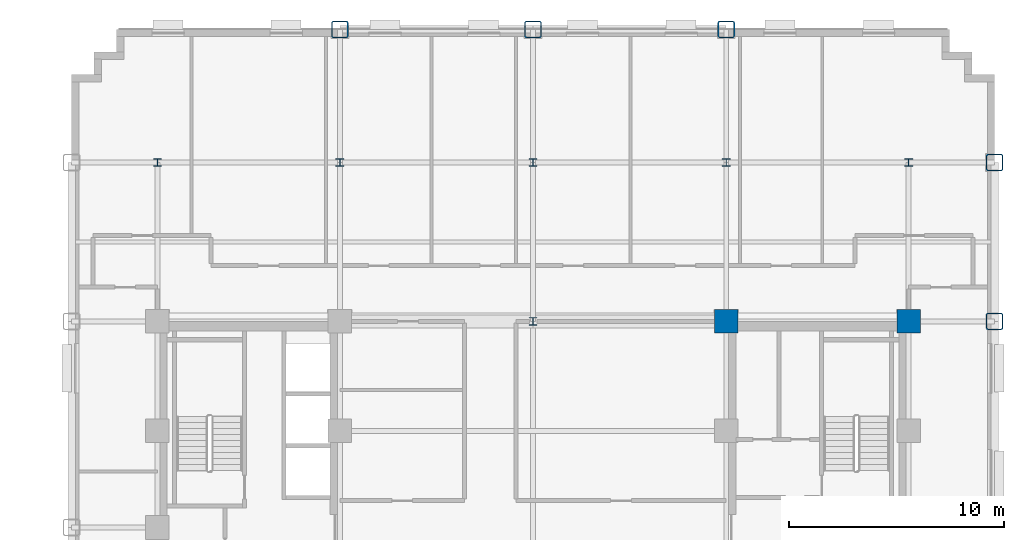
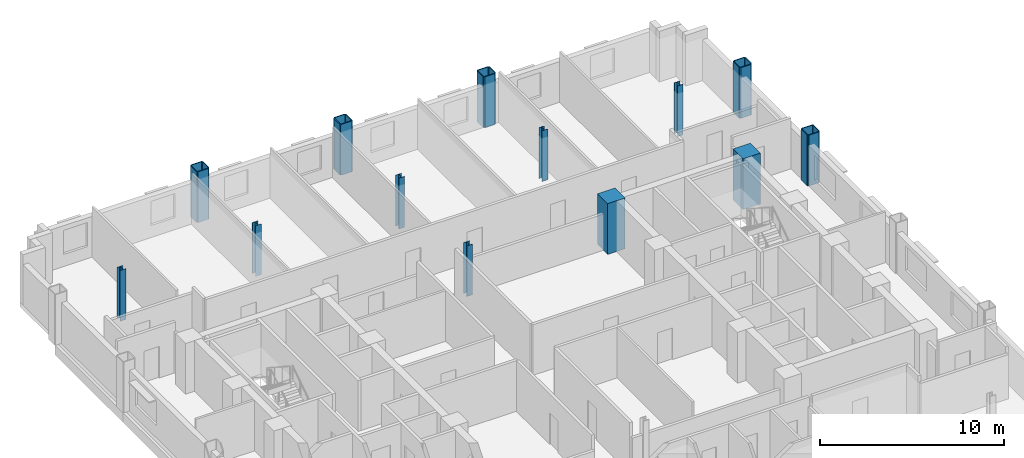
# One storey, part 3 of 14: 13 columns.
"""IFC4 building model written with IfcOpenShell, lengths in metres."""

from ifc_helpers import new_model, si_unit, direction, frame, origin, origin_2d, place, context, subcontext, project, spatial, rectangle, hollow_rectangle, i_section, extrude, material, material_profile, profile_set, type_object, element, save


model = new_model("IFC4")

# Units and contexts
model_context = context("Model", 3, precision=1e-05, world=origin(), true_north=direction((0.0, 1.0)))
body_context = subcontext(model_context, "Body", "Model", "MODEL_VIEW")
ifc_project = project(units=[si_unit("LENGTHUNIT", "METRE"), si_unit("AREAUNIT", "SQUARE_METRE"), si_unit("VOLUMEUNIT", "CUBIC_METRE"), si_unit("PLANEANGLEUNIT", "RADIAN"), si_unit("MASSUNIT", "GRAM", prefix="KILO")], contexts=[model_context])

# Site, building, storey
site_placement = place(None, origin())
site = spatial("IfcSite", under=ifc_project, at=site_placement, CompositionType="ELEMENT")
building_placement = place(site_placement, origin())
building = spatial("IfcBuilding", under=site, at=building_placement, Name="Nuvemarco Arch Tower", CompositionType="ELEMENT")
storey_placement = place(building_placement, frame((0.0, 0.0, 60.449951171875)))
storey = spatial("IfcBuildingStorey", under=building, at=storey_placement, Name="L15", CompositionType="ELEMENT", Elevation=60.449951171875)

# Columns
ifc_material_1 = material(Name="Concrete C60/75", Category="concrete")
ifc_material_profile_1 = material_profile(ifc_material_1, rectangle(XDim=1.10009765625, YDim=1.10009765625, at=origin_2d()), Name="RC-COL-1100x1100")
ifc_profile_set_1 = profile_set([ifc_material_profile_1], Name="Concrete C60/75")
column_type_1 = type_object("IfcColumnType", Name="COL-CORE-1100", PredefinedType="COLUMN", material=ifc_profile_set_1)
for number, where, z_axis, x_axis, name in (
    (1, (9.0, 9.60009765625, 0.0), (0.0, 0.0, 1.0), (1.0, 0.0, 0.0), "L15 column CC_+9.0_+9.6"),
    (2, (17.5, 9.60009765625, 0.0), (0.0, 0.0, 1.0), (1.0, 0.0, 0.0), "L15 column CC_+17.5_+9.6"),
):
    element("IfcColumn", number, at=place(storey_placement, frame(where, z_axis=z_axis, x_axis=x_axis)), inside=storey, type_object=column_type_1, Name=name, PredefinedType="COLUMN", context=body_context, shape_type="SweptSolid", body=[
        extrude(rectangle(XDim=1.10009765625, YDim=1.10009765625, at=origin_2d()), origin(), (0.0, 0.0, 1.0), 3.3701171875),
    ])
ifc_material_2 = material(Name="Steel S460", Category="steel")
ifc_material_profile_2 = material_profile(ifc_material_2, hollow_rectangle(XDim=0.800048828125, YDim=0.800048828125, WallThickness=0.054931640625, InnerFilletRadius=0.054931640625, OuterFilletRadius=0.110107421875, at=origin_2d()), Name="SHS800x800x55")
ifc_profile_set_2 = profile_set([ifc_material_profile_2], Name="Steel S460")
column_type_2 = type_object("IfcColumnType", Name="COL-EXO-800", PredefinedType="COLUMN", material=ifc_profile_set_2)
for number, where, z_axis, x_axis, name in (
    (3, (21.5, 9.60009765625, 0.0), (0.0, 0.0, 1.0), (1.0, 0.0, 0.0), "L15 column CX_+21.5_+9.6"),
    (4, (21.5, 17.0, 0.0), (0.0, 0.0, 1.0), (1.0, 0.0, 0.0), "L15 column CX_+21.5_+17.0"),
    (5, (-9.0, 23.199951171875, 0.0), (0.0, 0.0, 1.0), (1.0, 0.0, 0.0), "L15 column CY_-9.0_+23.2"),
    (6, (0.0, 23.199951171875, 0.0), (0.0, 0.0, 1.0), (1.0, 0.0, 0.0), "L15 column CY_+0.0_+23.2"),
    (7, (9.0, 23.199951171875, 0.0), (0.0, 0.0, 1.0), (1.0, 0.0, 0.0), "L15 column CY_+9.0_+23.2"),
):
    element("IfcColumn", number, at=place(storey_placement, frame(where, z_axis=z_axis, x_axis=x_axis)), inside=storey, type_object=column_type_2, Name=name, PredefinedType="COLUMN", context=body_context, shape_type="SweptSolid", body=[
        extrude(hollow_rectangle(XDim=0.800048828125, YDim=0.800048828125, WallThickness=0.054931640625, InnerFilletRadius=0.054931640625, OuterFilletRadius=0.110107421875, at=origin_2d()), origin(), (0.0, 0.0, 1.0), 3.3701171875),
    ])
ifc_material_3 = material(Name="Steel S355", Category="steel")
ifc_material_profile_3 = material_profile(ifc_material_3, i_section(OverallWidth=0.360107421875, OverallDepth=0.360107421875, WebThickness=0.0205078125, FlangeThickness=0.0205078125, FilletRadius=0.01806640625, at=origin_2d()), Name="HP360x174")
ifc_profile_set_3 = profile_set([ifc_material_profile_3], Name="Steel S355")
column_type_3 = type_object("IfcColumnType", Name="COL-STL-HP360", PredefinedType="COLUMN", material=ifc_profile_set_3)
for number, where, z_axis, x_axis, name in (
    (8, (0.0, 9.60009765625, 0.0), (0.0, 0.0, 1.0), (1.0, 0.0, 0.0), "L15 column CI_+0.0_+9.6"),
    (9, (0.0, 17.0, 0.0), (0.0, 0.0, 1.0), (1.0, 0.0, 0.0), "L15 column CI_+0.0_+17.0"),
    (10, (-17.5, 17.0, 0.0), (0.0, 0.0, 1.0), (1.0, 0.0, 0.0), "L15 column CI_-17.5_+17.0"),
    (11, (-9.0, 17.0, 0.0), (0.0, 0.0, 1.0), (1.0, 0.0, 0.0), "L15 column CI_-9.0_+17.0"),
    (12, (9.0, 17.0, 0.0), (0.0, 0.0, 1.0), (1.0, 0.0, 0.0), "L15 column CI_+9.0_+17.0"),
    (13, (17.5, 17.0, 0.0), (0.0, 0.0, 1.0), (1.0, 0.0, 0.0), "L15 column CI_+17.5_+17.0"),
):
    element("IfcColumn", number, at=place(storey_placement, frame(where, z_axis=z_axis, x_axis=x_axis)), inside=storey, type_object=column_type_3, Name=name, PredefinedType="COLUMN", context=body_context, shape_type="SweptSolid", body=[
        extrude(i_section(OverallWidth=0.360107421875, OverallDepth=0.360107421875, WebThickness=0.0205078125, FlangeThickness=0.0205078125, FilletRadius=0.01806640625, at=origin_2d()), origin(), (0.0, 0.0, 1.0), 3.3701171875),
    ])

save(model, "model.ifc")
